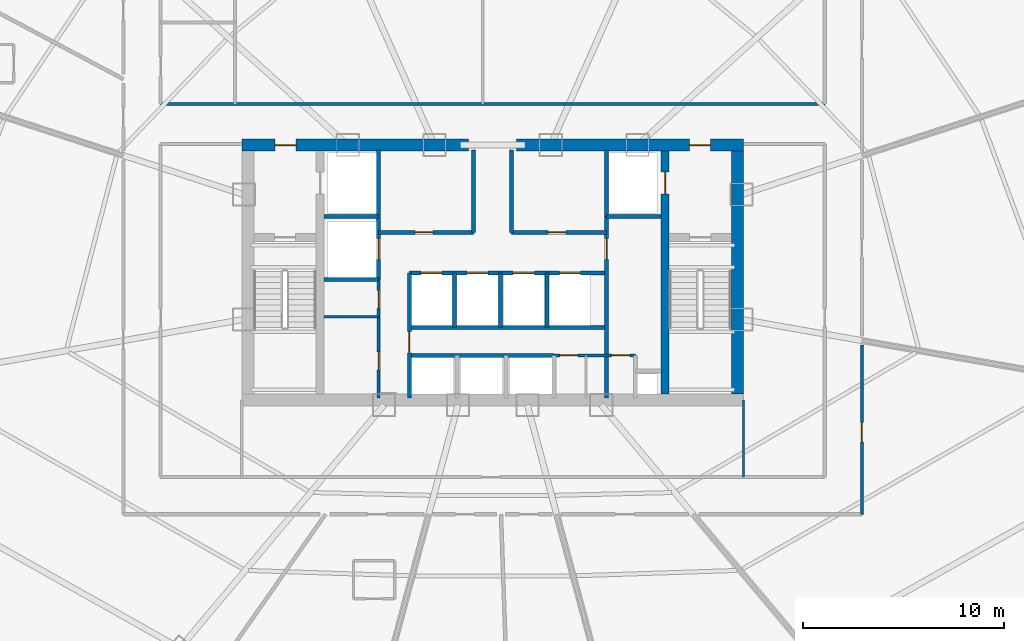
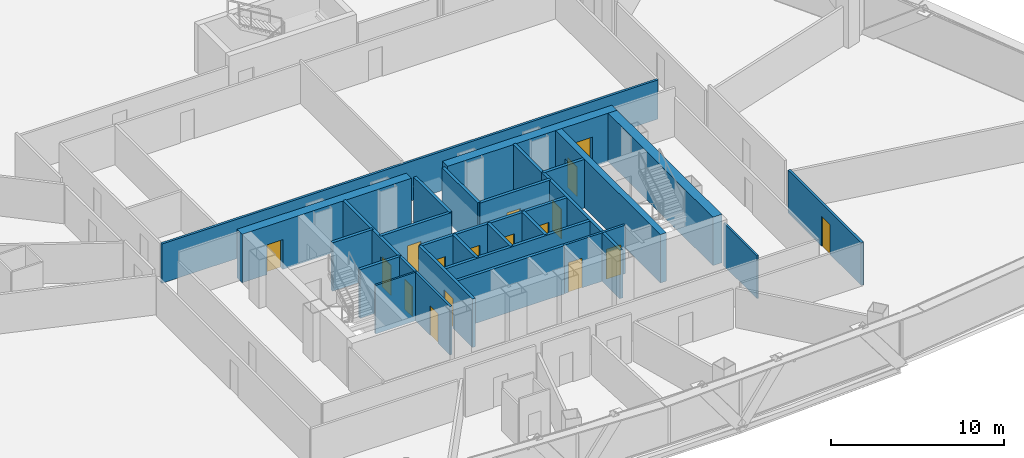
# One storey, part 34 of 40: 27 walls, 17 doors, 17 openings.
"""IFC4 building model written with IfcOpenShell, lengths in metres."""

import ifcopenshell
import ifcopenshell.guid

model = None  # the IFC model being written
_history = None  # IfcOwnerHistory: only IFC2X3 demands one
_inside = {}  # id of a spatial element -> (the spatial element, [elements in it])
_under = {}  # id of a project, library or spatial element -> (it, [spatial elements below it])
_declared = {}  # id of a project -> (the project, [libraries it declares])
_typed = {}  # id of a type object -> (the type object, [elements of that type])
_made_of = {}  # id of a material, layer set ... -> (it, [elements and type objects made of it])


def new_model(schema):
    """Start an empty IFC model of exactly this schema.

    Asked for "IFC4X3", IfcOpenShell would pick the latest addendum, in which some entities
    have other attributes; the version numbers below select the first issue.
    IFC2X3 requires an IfcOwnerHistory on every rooted entity: one is made here for all.
    """
    global model, _history
    if schema == "IFC4X3":
        model = ifcopenshell.file(schema_version=(4, 3, 0, 0))
    else:
        model = ifcopenshell.file(schema=schema)
    _inside.clear()
    _under.clear()
    _declared.clear()
    _typed.clear()
    _made_of.clear()
    _history = None
    if model.schema == "IFC2X3":
        org = make("IfcOrganization", Name="unknown")
        user = make(
            "IfcPersonAndOrganization",
            ThePerson=make("IfcPerson", FamilyName="unknown"),
            TheOrganization=org,
        )
        app = make(
            "IfcApplication",
            ApplicationDeveloper=org,
            Version="unknown",
            ApplicationFullName="unknown",
            ApplicationIdentifier="unknown",
        )
        _history = make(
            "IfcOwnerHistory",
            OwningUser=user,
            OwningApplication=app,
            ChangeAction="ADDED",
            CreationDate=0,
        )
    return model


def make(cls, **values):
    """One entity of the class cls with the attributes given. An attribute that is None is left unset."""
    return model.create_entity(
        cls, **{name: value for name, value in values.items() if value is not None}
    )


def rooted(cls, **values):
    """An entity with a GlobalId (a new one), such as an element, a storey or a relation."""
    return make(cls, GlobalId=ifcopenshell.guid.new(), OwnerHistory=_history, **values)


def si_unit(unit_type, name, prefix=None):
    """IfcSIUnit, for example si_unit("LENGTHUNIT", "METRE", prefix="MILLI")."""
    return make("IfcSIUnit", UnitType=unit_type, Prefix=prefix, Name=name)


def assignment(units):
    """IfcUnitAssignment: the units of a project."""
    return None if units is None else make("IfcUnitAssignment", Units=units)


def point(xyz):
    """IfcCartesianPoint."""
    return None if xyz is None else make("IfcCartesianPoint", Coordinates=xyz)


def direction(xyz):
    """IfcDirection."""
    return None if xyz is None else make("IfcDirection", DirectionRatios=xyz)


def frame(location, z_axis=None, x_axis=None):
    """IfcAxis2Placement3D, a coordinate frame: its origin and axes. An axis left out is left unset."""
    return make(
        "IfcAxis2Placement3D",
        Location=point(location),
        Axis=direction(z_axis),
        RefDirection=direction(x_axis),
    )


def frame_2d(location, x_axis=None):
    """IfcAxis2Placement2D, a coordinate frame in the plane: its origin and x axis."""
    return make(
        "IfcAxis2Placement2D", Location=point(location), RefDirection=direction(x_axis)
    )


def origin():
    """The frame at (0, 0, 0) with its axes left unset."""
    return frame((0.0, 0.0, 0.0))


def origin_with_axes():
    """The frame at (0, 0, 0) with the z axis (0, 0, 1) and the x axis (1, 0, 0) written out."""
    return frame((0.0, 0.0, 0.0), z_axis=(0.0, 0.0, 1.0), x_axis=(1.0, 0.0, 0.0))


def place(relative_to, where):
    """IfcLocalPlacement: puts the frame where relative to a parent placement (None: the world)."""
    return make(
        "IfcLocalPlacement", PlacementRelTo=relative_to, RelativePlacement=where
    )


def context(
    kind, dimensions, precision=None, world=None, true_north=None, identifier=None
):
    """IfcGeometricRepresentationContext, for example the 3D "Model" context."""
    return make(
        "IfcGeometricRepresentationContext",
        ContextIdentifier=identifier,
        ContextType=kind,
        CoordinateSpaceDimension=dimensions,
        Precision=precision,
        WorldCoordinateSystem=world,
        TrueNorth=true_north,
    )


def subcontext(parent, identifier, kind, view, scale=None):
    """IfcGeometricRepresentationSubContext, for example "Body" below "Model"."""
    return make(
        "IfcGeometricRepresentationSubContext",
        ContextIdentifier=identifier,
        ContextType=kind,
        ParentContext=parent,
        TargetScale=scale,
        TargetView=view,
    )


def project(units=None, contexts=None):
    """IfcProject with its units and contexts."""
    return rooted(
        "IfcProject",
        Name="project",
        RepresentationContexts=contexts,
        UnitsInContext=assignment(units),
    )


def spatial(cls, under=None, at=None, **own):
    """A site, building, storey or space (cls), placed at a placement, below another one or the project."""
    s = rooted(cls, ObjectPlacement=at, **own)
    if under is not None:
        _under.setdefault(under.id(), (under, []))[1].append(s)
    return s


def profile(cls, at=None, kind="AREA", **sizes):
    """A parametric profile (cls). Its sizes go by their IFC names, for example OverallWidth=200.0."""
    return make(cls, ProfileType=kind, Position=at, **sizes)


def rectangle(**sizes):
    """IfcRectangleProfileDef."""
    return profile("IfcRectangleProfileDef", **sizes)


def extrude(swept, where, along, depth):
    """IfcExtrudedAreaSolid: the profile swept, set in the frame where, extruded along a direction by depth."""
    return make(
        "IfcExtrudedAreaSolid",
        SweptArea=swept,
        Position=where,
        ExtrudedDirection=direction(along),
        Depth=depth,
    )


def shape(context_of_items, identifier, shape_type, items):
    """IfcShapeRepresentation: the items that make up one representation, for example the "Body"."""
    return make(
        "IfcShapeRepresentation",
        ContextOfItems=context_of_items,
        RepresentationIdentifier=identifier,
        RepresentationType=shape_type,
        Items=items,
    )


def source(mapping_origin, context_of_items, identifier, shape_type, items):
    """IfcRepresentationMap: a shape defined once, which mapped items show again and again."""
    return make(
        "IfcRepresentationMap",
        MappingOrigin=mapping_origin,
        MappedRepresentation=shape(context_of_items, identifier, shape_type, items),
    )


def transform(
    local_origin,
    x_axis=None,
    y_axis=None,
    z_axis=None,
    scale=None,
    scale2=None,
    scale3=None,
    uniform=True,
):
    """IfcCartesianTransformationOperator3D, or its non-uniform kind. x_axis, y_axis, z_axis: its Axis1, 2, 3."""
    if uniform:
        return make(
            "IfcCartesianTransformationOperator3D",
            Axis1=direction(x_axis),
            Axis2=direction(y_axis),
            LocalOrigin=point(local_origin),
            Scale=scale,
            Axis3=direction(z_axis),
        )
    return make(
        "IfcCartesianTransformationOperator3DnonUniform",
        Axis1=direction(x_axis),
        Axis2=direction(y_axis),
        LocalOrigin=point(local_origin),
        Scale=scale,
        Axis3=direction(z_axis),
        Scale2=scale2,
        Scale3=scale3,
    )


def mapped(mapping_source, mapping_target):
    """IfcMappedItem: shows the shape of a source again, moved by a transform."""
    return make(
        "IfcMappedItem", MappingSource=mapping_source, MappingTarget=mapping_target
    )


def material(Name=None, Category=None):
    """IfcMaterial."""
    return make("IfcMaterial", Name=Name, Category=Category)


def layer(
    of_material, thickness, ventilated=None, Name=None, Category=None, Priority=None
):
    """IfcMaterialLayer: one layer of a wall or slab, of a material (None: an air gap)."""
    return make(
        "IfcMaterialLayer",
        Material=of_material,
        LayerThickness=thickness,
        IsVentilated=ventilated,
        Name=Name,
        Category=Category,
        Priority=Priority,
    )


def layer_set(layers, Name=None):
    """IfcMaterialLayerSet."""
    return make("IfcMaterialLayerSet", MaterialLayers=layers, LayerSetName=Name)


def made_of(thing, what):
    """Note that an element or type object is made of a material, layer set ...; save() writes the relation."""
    if what is not None:
        _made_of.setdefault(what.id(), (what, []))[1].append(thing)
    return thing


def type_object(cls, material=None, **own):
    """A type object (cls), such as IfcWallType, which elements share."""
    return made_of(rooted(cls, **own), material)


def element(
    cls,
    number,
    at=None,
    inside=None,
    cuts=None,
    type_object=None,
    material=None,
    context=None,
    identifier="Body",
    shape_type=None,
    held_by="IfcProductDefinitionShape",
    body=None,
    shapes=None,
    **own,
):
    """One element of the class cls, such as IfcWall. Its Tag is "e" and its number.

    at: its placement. inside: the storey or other place that contains it. cuts: it is an
    opening in that element (IfcRelVoidsElement). A single representation is given by context,
    identifier, shape_type and body (its items); several are given by shapes. held_by: the class
    of the entity that holds the representations. save() writes the other relations.
    """
    e = rooted(cls, Tag="e%d" % number, ObjectPlacement=at, **own)
    if body is not None:
        shapes = [shape(context, identifier, shape_type, body)]
    if shapes is not None:
        e.Representation = make(held_by, Representations=shapes)
    if inside is not None:
        _inside.setdefault(inside.id(), (inside, []))[1].append(e)
    if cuts is not None:
        rooted(
            "IfcRelVoidsElement", RelatingBuildingElement=cuts, RelatedOpeningElement=e
        )
    if type_object is not None:
        _typed.setdefault(type_object.id(), (type_object, []))[1].append(e)
    return made_of(e, material)


def fill(opening, filler):
    """IfcRelFillsElement: the door or window that sits in an opening."""
    return rooted(
        "IfcRelFillsElement",
        RelatingOpeningElement=opening,
        RelatedBuildingElement=filler,
    )


def aggregate(whole, parts):
    """IfcRelAggregates: a whole, such as a stair, and the parts it consists of."""
    return rooted("IfcRelAggregates", RelatingObject=whole, RelatedObjects=parts)


def save(model, path):
    """Write the relations noted so far, then the file.

    IfcRelAggregates (storeys below a building ...), IfcRelContainedInSpatialStructure (elements
    in a storey), IfcRelDefinesByType, IfcRelAssociatesMaterial and IfcRelDeclares: one each for
    every whole, place, type object, material and project.
    """
    for whole, parts in _under.values():
        aggregate(whole, parts)
    for where, things in _inside.values():
        rooted(
            "IfcRelContainedInSpatialStructure",
            RelatedElements=things,
            RelatingStructure=where,
        )
    for kind, things in _typed.values():
        rooted("IfcRelDefinesByType", RelatedObjects=things, RelatingType=kind)
    for what, things in _made_of.values():
        rooted("IfcRelAssociatesMaterial", RelatedObjects=things, RelatingMaterial=what)
    for by, libraries in _declared.values():
        rooted("IfcRelDeclares", RelatingContext=by, RelatedDefinitions=libraries)
    model.write(path)


model = new_model("IFC4")

# Units and contexts
model_context = context("Model", 3, precision=1e-05, world=origin(), true_north=direction((0.0, 1.0)))
body_context = subcontext(model_context, "Body", "Model", "MODEL_VIEW")
ifc_project = project(units=[si_unit("LENGTHUNIT", "METRE"), si_unit("AREAUNIT", "SQUARE_METRE"), si_unit("VOLUMEUNIT", "CUBIC_METRE"), si_unit("PLANEANGLEUNIT", "RADIAN"), si_unit("MASSUNIT", "GRAM", prefix="KILO"), si_unit("THERMODYNAMICTEMPERATUREUNIT", "KELVIN"), si_unit("POWERUNIT", "WATT")], contexts=[model_context])

# Site, building, storey
site_placement = place(None, origin())
site = spatial("IfcSite", under=ifc_project, at=site_placement, CompositionType="ELEMENT")
building_placement = place(site_placement, origin())
building = spatial("IfcBuilding", under=site, at=building_placement, Name="Yunzhuo Pagoda Commons", CompositionType="ELEMENT")
storey_placement = place(building_placement, frame((0.0, 0.0, 159.27001953125)))
storey = spatial("IfcBuildingStorey", under=building, at=storey_placement, Name="L40", CompositionType="ELEMENT", Elevation=159.27001953125)

# Wall, opening, door
ifc_material_1 = material(Name="Concrete C60", Category="concrete")
ifc_layer_1 = layer(ifc_material_1, 0.60009765625)
ifc_layer_set_1 = layer_set([ifc_layer_1], Name="Concrete C60")
wall_type_1 = type_object("IfcWallType", Name="W-C02 Mid Core Shear Wall 600", PredefinedType="SHEAR", material=ifc_layer_set_1)
wall_1_placement = place(storey_placement, frame((35.5, 40.199951171875, 0.0), z_axis=(0.0, 0.0, 1.0), x_axis=(1.0, 0.0, 0.0)))
wall_1 = element("IfcWall", 1, at=wall_1_placement, inside=storey, type_object=wall_type_1, Name="L40 core shear wall NW", PredefinedType="SHEAR", context=body_context, shape_type="SweptSolid", body=[
    extrude(rectangle(XDim=11.300048828125, YDim=0.60009765625, at=frame_2d((5.64990234375, 0.0))), origin(), (0.0, 0.0, 1.0), 3.419921875),
])
opening_1_placement = place(wall_1_placement, frame((1.64990234375, 0.0, 0.0)))
opening_1 = element("IfcOpeningElement", 2, at=opening_1_placement, cuts=wall_1, Name="Opening D-02", PredefinedType="OPENING", context=body_context, shape_type="SweptSolid", body=[
    extrude(rectangle(XDim=1.050048828125, YDim=2.10009765625, at=frame_2d((0.52490234375, 1.050048828125))), frame((0.0, 0.31005859375, 0.0), z_axis=(0.0, -1.0, 0.0), x_axis=(1.0, 0.0, 0.0)), (0.0, 0.0, 1.0), 0.6201171875),
])
ifc_material_2 = material(Name="Galvanized fire-resisting metal leaf")
door_type_1 = type_object("IfcDoorType", Name="D-02 Firefighting Lobby & Refuge Fire Door 1050x2100", OperationType="NOTDEFINED", PredefinedType="DOOR", material=ifc_material_2)
shared_shape_1 = source(origin(), body_context, "Body", "SweptSolid", [
    extrude(rectangle(XDim=1.050048828125, YDim=2.10009765625, at=frame_2d((0.52490234375, 1.050048828125))), frame((0.0, 0.02490234375, 0.0), z_axis=(0.0, -1.0, 0.0), x_axis=(1.0, 0.0, 0.0)), (0.0, 0.0, 1.0), 0.050048828125),
])
door_1_placement = place(opening_1_placement, frame((1.050048828125, 0.0, 0.0), z_axis=(0.0, 0.0, 1.0), x_axis=(-1.0, 0.0, 0.0)))
door_1 = element("IfcDoor", 3, at=door_1_placement, inside=storey, type_object=door_type_1, Name="L40 Firefighting Lobby 1 fire door", OperationType="SINGLE_SWING_LEFT", OverallHeight=2.10009765625, OverallWidth=1.050048828125, PredefinedType="DOOR", context=body_context, shape_type="MappedRepresentation", body=[
    mapped(shared_shape_1, transform((0.0, 0.0, 0.0), scale=1.0)),
])
fill(opening_1, door_1)

wall_2_placement = place(storey_placement, frame((49.199951171875, 40.199951171875, 0.0), z_axis=(0.0, 0.0, 1.0), x_axis=(1.0, 0.0, 0.0)))
wall_2 = element("IfcWall", 4, at=wall_2_placement, inside=storey, type_object=wall_type_1, Name="L40 core shear wall NE", PredefinedType="SHEAR", context=body_context, shape_type="SweptSolid", body=[
    extrude(rectangle(XDim=11.300048828125, YDim=0.60009765625, at=frame_2d((5.64990234375, 0.0))), origin(), (0.0, 0.0, 1.0), 3.419921875),
])
opening_2_placement = place(wall_2_placement, frame((8.60009765625, 0.0, 0.0)))
opening_2 = element("IfcOpeningElement", 5, at=opening_2_placement, cuts=wall_2, Name="Opening D-02", PredefinedType="OPENING", context=body_context, shape_type="SweptSolid", body=[
    extrude(rectangle(XDim=1.050048828125, YDim=2.10009765625, at=frame_2d((0.52490234375, 1.050048828125))), frame((0.0, 0.31005859375, 0.0), z_axis=(0.0, -1.0, 0.0), x_axis=(1.0, 0.0, 0.0)), (0.0, 0.0, 1.0), 0.6201171875),
])
door_2_placement = place(opening_2_placement, frame((1.050048828125, 0.0, 0.0), z_axis=(0.0, 0.0, 1.0), x_axis=(-1.0, 0.0, 0.0)))
door_2 = element("IfcDoor", 6, at=door_2_placement, inside=storey, type_object=door_type_1, Name="L40 Firefighting Lobby 2 fire door", OperationType="SINGLE_SWING_RIGHT", OverallHeight=2.10009765625, OverallWidth=1.050048828125, PredefinedType="DOOR", context=body_context, shape_type="MappedRepresentation", body=[
    mapped(shared_shape_1, transform((0.0, 0.0, 0.0), scale=1.0)),
])
fill(opening_2, door_2)

# Wall
wall_3_placement = place(storey_placement, frame((60.199951171875, 27.800048828125, 0.0), z_axis=(0.0, 0.0, 1.0), x_axis=(0.0, 1.0, 0.0)))
element("IfcWall", 7, at=wall_3_placement, inside=storey, type_object=wall_type_1, Name="L40 core shear wall E", PredefinedType="SHEAR", context=body_context, shape_type="SweptSolid", body=[
    extrude(rectangle(XDim=12.099853515625, YDim=0.60009765625, at=frame_2d((6.0498046875, 0.0))), origin(), (0.0, 0.0, 1.0), 3.419921875),
])

# Wall, openings, doors
ifc_material_3 = material(Name="Gypsum plasterboard on acoustic stud")
ifc_layer_2 = layer(ifc_material_3, 0.155029296875)
ifc_layer_set_2 = layer_set([ifc_layer_2], Name="Gypsum plasterboard on acoustic stud")
wall_type_2 = type_object("IfcWallType", Name="W-COR2 Mid-Zone Rated Corridor Wall 155", PredefinedType="PARTITIONING", material=ifc_layer_set_2)
wall_4_placement = place(storey_placement, frame((42.320068359375, 27.60009765625, 0.0), z_axis=(0.0, 0.0, 1.0), x_axis=(0.0, 1.0, 0.0)))
wall_4 = element("IfcWall", 8, at=wall_4_placement, inside=storey, type_object=wall_type_2, Name="L40 interior wall IW-L40-CSWE", PredefinedType="PARTITIONING", context=body_context, shape_type="SweptSolid", body=[
    extrude(rectangle(XDim=5.89990234375, YDim=0.155029296875, at=frame_2d((2.949951171875, 0.0))), origin(), (0.0, 0.0, 1.0), 3.419921875),
])
opening_3_placement = place(wall_4_placement, frame((1.39990234375, 0.0, 0.0)))
opening_3 = element("IfcOpeningElement", 9, at=opening_3_placement, cuts=wall_4, Name="Opening D-03", PredefinedType="OPENING", context=body_context, shape_type="SweptSolid", body=[
    extrude(rectangle(XDim=0.89990234375, YDim=2.10009765625, at=frame_2d((0.449951171875, 1.050048828125))), frame((0.0, 0.08740234375, 0.0), z_axis=(0.0, -1.0, 0.0), x_axis=(1.0, 0.0, 0.0)), (0.0, 0.0, 1.0), 0.175048828125),
])
opening_4_placement = place(wall_4_placement, frame((4.449951171875, 0.0, 0.0)))
opening_4 = element("IfcOpeningElement", 10, at=opening_4_placement, cuts=wall_4, Name="Opening D-03", PredefinedType="OPENING", context=body_context, shape_type="SweptSolid", body=[
    extrude(rectangle(XDim=0.89990234375, YDim=2.10009765625, at=frame_2d((0.449951171875, 1.050048828125))), frame((0.0, 0.08740234375, 0.0), z_axis=(0.0, -1.0, 0.0), x_axis=(1.0, 0.0, 0.0)), (0.0, 0.0, 1.0), 0.175048828125),
])
door_type_2 = type_object("IfcDoorType", Name="D-03 Core Service Fire Door 900x2100", OperationType="NOTDEFINED", PredefinedType="DOOR", material=ifc_material_2)
shared_shape_2 = source(origin(), body_context, "Body", "SweptSolid", [
    extrude(rectangle(XDim=0.89990234375, YDim=2.10009765625, at=frame_2d((0.449951171875, 1.050048828125))), frame((0.0, 0.02490234375, 0.0), z_axis=(0.0, -1.0, 0.0), x_axis=(1.0, 0.0, 0.0)), (0.0, 0.0, 1.0), 0.050048828125),
])
door_3_placement = place(opening_3_placement, origin_with_axes())
door_3 = element("IfcDoor", 11, at=door_3_placement, inside=storey, type_object=door_type_2, Name="L40 service store door", OperationType="SINGLE_SWING_LEFT", OverallHeight=2.10009765625, OverallWidth=0.89990234375, PredefinedType="DOOR", context=body_context, shape_type="MappedRepresentation", body=[
    mapped(shared_shape_2, transform((0.0, 0.0, 0.0), scale=1.0)),
])
fill(opening_3, door_3)
door_4_placement = place(opening_4_placement, origin_with_axes())
door_4 = element("IfcDoor", 12, at=door_4_placement, inside=storey, type_object=door_type_2, Name="L40 switch closet door", OperationType="SINGLE_SWING_RIGHT", OverallHeight=2.10009765625, OverallWidth=0.89990234375, PredefinedType="DOOR", context=body_context, shape_type="MappedRepresentation", body=[
    mapped(shared_shape_2, transform((0.0, 0.0, 0.0), scale=1.0)),
])
fill(opening_4, door_4)

wall_5_placement = place(storey_placement, frame((51.050048828125, 29.719970703125, 0.0), z_axis=(0.0, 0.0, 1.0), x_axis=(1.0, 0.0, 0.0)))
wall_5 = element("IfcWall", 13, at=wall_5_placement, inside=storey, type_object=wall_type_2, Name="L40 interior wall IW-L40-CSES", PredefinedType="PARTITIONING", context=body_context, shape_type="SweptSolid", body=[
    extrude(rectangle(XDim=4.070068359375, YDim=0.155029296875, at=frame_2d((2.03515625, 0.0))), origin(), (0.0, 0.0, 1.0), 3.419921875),
])
opening_5_placement = place(wall_5_placement, frame((0.300048828125, 0.0, 0.0)))
opening_5 = element("IfcOpeningElement", 14, at=opening_5_placement, cuts=wall_5, Name="Opening D-03", PredefinedType="OPENING", context=body_context, shape_type="SweptSolid", body=[
    extrude(rectangle(XDim=0.89990234375, YDim=2.10009765625, at=frame_2d((0.449951171875, 1.050048828125))), frame((0.0, 0.08740234375, 0.0), z_axis=(0.0, -1.0, 0.0), x_axis=(1.0, 0.0, 0.0)), (0.0, 0.0, 1.0), 0.175048828125),
])
opening_6_placement = place(wall_5_placement, frame((2.860107421875, 0.0, 0.0)))
opening_6 = element("IfcOpeningElement", 15, at=opening_6_placement, cuts=wall_5, Name="Opening D-11", PredefinedType="OPENING", context=body_context, shape_type="SweptSolid", body=[
    extrude(rectangle(XDim=0.93994140625, YDim=2.10009765625, at=frame_2d((0.469970703125, 1.050048828125))), frame((0.0, 0.08740234375, 0.0), z_axis=(0.0, -1.0, 0.0), x_axis=(1.0, 0.0, 0.0)), (0.0, 0.0, 1.0), 0.175048828125),
])
door_5_placement = place(opening_5_placement, origin_with_axes())
door_5 = element("IfcDoor", 16, at=door_5_placement, inside=storey, type_object=door_type_2, Name="L40 cleaner door", OperationType="SINGLE_SWING_LEFT", OverallHeight=2.10009765625, OverallWidth=0.89990234375, PredefinedType="DOOR", context=body_context, shape_type="MappedRepresentation", body=[
    mapped(shared_shape_2, transform((0.0, 0.0, 0.0), scale=1.0)),
])
fill(opening_5, door_5)
door_type_3 = type_object("IfcDoorType", Name="D-11 Accessible Washroom Fire Door 940x2100", OperationType="NOTDEFINED", PredefinedType="DOOR", material=ifc_material_2)
shared_shape_3 = source(origin(), body_context, "Body", "SweptSolid", [
    extrude(rectangle(XDim=0.93994140625, YDim=2.10009765625, at=frame_2d((0.469970703125, 1.050048828125))), frame((0.0, 0.02490234375, 0.0), z_axis=(0.0, -1.0, 0.0), x_axis=(1.0, 0.0, 0.0)), (0.0, 0.0, 1.0), 0.050048828125),
])
door_6_placement = place(opening_6_placement, origin_with_axes())
door_6 = element("IfcDoor", 17, at=door_6_placement, inside=storey, type_object=door_type_3, Name="L40 core WC door", OperationType="SINGLE_SWING_RIGHT", OverallHeight=2.10009765625, OverallWidth=0.93994140625, PredefinedType="DOOR", context=body_context, shape_type="MappedRepresentation", body=[
    mapped(shared_shape_3, transform((0.0, 0.0, 0.0), scale=1.0)),
])
fill(opening_6, door_6)

# Wall
wall_6_placement = place(storey_placement, frame((31.449951171875, 42.25, 0.0), z_axis=(0.0, 0.0, 1.0), x_axis=(1.0, 0.0, 0.0)))
element("IfcWall", 18, at=wall_6_placement, inside=storey, type_object=wall_type_2, Name="L40 interior wall IW-L40-MCNS", PredefinedType="PARTITIONING", context=body_context, shape_type="SweptSolid", body=[
    extrude(rectangle(XDim=33.10009765625, YDim=0.155029296875, at=frame_2d((16.550048828125, 0.0))), origin(), (0.0, 0.0, 1.0), 2.77001953125),
])

# Wall, opening, door
wall_7_placement = place(storey_placement, frame((66.39990234375, 30.232177734375, 0.0), z_axis=(0.0, 0.0, 1.0), x_axis=(0.0, -1.0, 0.0)))
wall_7 = element("IfcWall", 19, at=wall_7_placement, inside=storey, type_object=wall_type_2, Name="L40 interior wall IW-L40-CWL12", PredefinedType="PARTITIONING", context=body_context, shape_type="SweptSolid", body=[
    extrude(rectangle(XDim=8.43212890625, YDim=0.155029296875, at=frame_2d((4.216064453125, 0.0))), origin(), (0.0, 0.0, 1.0), 3.02001953125),
])
opening_7_placement = place(wall_7_placement, frame((3.859375, 0.0, 0.0)))
opening_7 = element("IfcOpeningElement", 20, at=opening_7_placement, cuts=wall_7, Name="Opening D-07", PredefinedType="OPENING", context=body_context, shape_type="SweptSolid", body=[
    extrude(rectangle(XDim=0.9599609375, YDim=2.1201171875, at=frame_2d((0.47998046875, 1.06005859375))), frame((0.0, 0.08740234375, 0.0), z_axis=(0.0, -1.0, 0.0), x_axis=(1.0, 0.0, 0.0)), (0.0, 0.0, 1.0), 0.175048828125),
])
door_type_4 = type_object("IfcDoorType", Name="D-07 Mid-Zone Suite Entrance Fire Door 960x2120", OperationType="NOTDEFINED", PredefinedType="DOOR", material=ifc_material_2)
shared_shape_4 = source(origin(), body_context, "Body", "SweptSolid", [
    extrude(rectangle(XDim=0.9599609375, YDim=2.1201171875, at=frame_2d((0.47998046875, 1.06005859375))), frame((0.0, 0.02490234375, 0.0), z_axis=(0.0, -1.0, 0.0), x_axis=(1.0, 0.0, 0.0)), (0.0, 0.0, 1.0), 0.050048828125),
])
door_7_placement = place(opening_7_placement, origin_with_axes())
door_7 = element("IfcDoor", 21, at=door_7_placement, inside=storey, type_object=door_type_4, Name="L40 unit 13 entrance door", OperationType="SINGLE_SWING_LEFT", OverallHeight=2.1201171875, OverallWidth=0.9599609375, PredefinedType="DOOR", context=body_context, shape_type="MappedRepresentation", body=[
    mapped(shared_shape_4, transform((0.0, 0.0, 0.0), scale=1.0)),
])
fill(opening_7, door_7)

# Walls
ifc_layer_3 = layer(ifc_material_3, 0.1201171875)
ifc_layer_set_3 = layer_set([ifc_layer_3], Name="Gypsum plasterboard on acoustic stud")
wall_type_3 = type_object("IfcWallType", Name="W-PRT1 Suite & Bathroom Partition 120", PredefinedType="PARTITIONING", material=ifc_layer_set_3)
wall_8_placement = place(storey_placement, frame((39.60009765625, 31.64990234375, 0.0), z_axis=(0.0, 0.0, 1.0), x_axis=(1.0, 0.0, 0.0)))
element("IfcWall", 22, at=wall_8_placement, inside=storey, type_object=wall_type_3, Name="L40 interior wall IW-L40-CD1", PredefinedType="PARTITIONING", context=body_context, shape_type="SweptSolid", body=[
    extrude(rectangle(XDim=2.719970703125, YDim=0.1201171875, at=frame_2d((1.35986328125, 0.0))), origin(), (0.0, 0.0, 1.0), 3.419921875),
])
wall_9_placement = place(storey_placement, frame((60.5, 23.64990234375, 0.0), z_axis=(0.0, 0.0, 1.0), x_axis=(0.0, 1.0, 0.0)))
element("IfcWall", 23, at=wall_9_placement, inside=storey, type_object=wall_type_3, Name="L40 interior wall IW-L40-SFLD2", PredefinedType="PARTITIONING", context=body_context, shape_type="SweptSolid", body=[
    extrude(rectangle(XDim=3.85009765625, YDim=0.1201171875, at=frame_2d((1.925048828125, 0.0))), origin(), (0.0, 0.0, 1.0), 3.02001953125),
])

# Wall, opening, door
ifc_layer_4 = layer(ifc_material_1, 0.39990234375)
ifc_layer_set_4 = layer_set([ifc_layer_4], Name="Concrete C60")
wall_type_4 = type_object("IfcWallType", Name="W-S01 Internal Core Shear Web 400", PredefinedType="SHEAR", material=ifc_layer_set_4)
wall_10_placement = place(storey_placement, frame((56.60009765625, 27.800048828125, 0.0), z_axis=(0.0, 0.0, 1.0), x_axis=(0.0, 1.0, 0.0)))
wall_10 = element("IfcWall", 24, at=wall_10_placement, inside=storey, type_object=wall_type_4, Name="L40 core shear wall WEBE", PredefinedType="SHEAR", context=body_context, shape_type="SweptSolid", body=[
    extrude(rectangle(XDim=12.099853515625, YDim=0.39990234375, at=frame_2d((6.0498046875, 0.0))), origin(), (0.0, 0.0, 1.0), 3.419921875),
])
opening_8_placement = place(wall_10_placement, frame((9.949951171875, 0.0, 0.0)))
opening_8 = element("IfcOpeningElement", 25, at=opening_8_placement, cuts=wall_10, Name="Opening LD-01", PredefinedType="OPENING", context=body_context, shape_type="SweptSolid", body=[
    extrude(rectangle(XDim=1.10009765625, YDim=2.10009765625, at=frame_2d((0.550048828125, 1.050048828125))), frame((0.0, 0.2099609375, 0.0), z_axis=(0.0, -1.0, 0.0), x_axis=(1.0, 0.0, 0.0)), (0.0, 0.0, 1.0), 0.419921875),
])
door_type_5 = type_object("IfcDoorType", Name="LD-01 Firefighting Lift Landing Door 1100x2100", OperationType="DOUBLE_DOOR_SLIDING", PredefinedType="DOOR", material=ifc_material_2)
shared_shape_5 = source(origin(), body_context, "Body", "SweptSolid", [
    extrude(rectangle(XDim=1.10009765625, YDim=2.10009765625, at=frame_2d((0.550048828125, 1.050048828125))), frame((0.0, 0.02490234375, 0.0), z_axis=(0.0, -1.0, 0.0), x_axis=(1.0, 0.0, 0.0)), (0.0, 0.0, 1.0), 0.050048828125),
])
door_8_placement = place(opening_8_placement, origin_with_axes())
door_8 = element("IfcDoor", 26, at=door_8_placement, inside=storey, type_object=door_type_5, Name="L40 Firefighting lift FL-2 landing door", OperationType="DOUBLE_DOOR_SLIDING", OverallHeight=2.10009765625, OverallWidth=1.10009765625, PredefinedType="DOOR", context=body_context, shape_type="MappedRepresentation", body=[
    mapped(shared_shape_5, transform((0.0, 0.0, 0.0), scale=1.0)),
])
fill(opening_8, door_8)

ifc_material_4 = material(Name="Concrete C40", Category="concrete")
ifc_layer_5 = layer(ifc_material_4, 0.199951171875)
ifc_layer_set_5 = layer_set([ifc_layer_5], Name="Concrete C40")
wall_type_5 = type_object("IfcWallType", Name="W-SHF Shaft & Stair Enclosure Wall 200", PredefinedType="SOLIDWALL", material=ifc_layer_set_5)
wall_11_placement = place(storey_placement, frame((42.320068359375, 33.5, 0.0), z_axis=(0.0, 0.0, 1.0), x_axis=(0.0, 1.0, 0.0)))
wall_11 = element("IfcWall", 27, at=wall_11_placement, inside=storey, type_object=wall_type_5, Name="L40 interior wall IW-L40-FL1E", PredefinedType="SOLIDWALL", context=body_context, shape_type="SweptSolid", body=[
    extrude(rectangle(XDim=6.449951171875, YDim=0.199951171875, at=frame_2d((3.22509765625, 0.0))), origin(), (0.0, 0.0, 1.0), 3.419921875),
])
opening_9_placement = place(wall_11_placement, frame((1.0, 0.0, 0.0)))
opening_9 = element("IfcOpeningElement", 28, at=opening_9_placement, cuts=wall_11, Name="Opening LD-02", PredefinedType="OPENING", context=body_context, shape_type="SweptSolid", body=[
    extrude(rectangle(XDim=1.050048828125, YDim=2.10009765625, at=frame_2d((0.52490234375, 1.050048828125))), frame((0.0, 0.10986328125, 0.0), z_axis=(0.0, -1.0, 0.0), x_axis=(1.0, 0.0, 0.0)), (0.0, 0.0, 1.0), 0.219970703125),
])
door_type_6 = type_object("IfcDoorType", Name="LD-02 Passenger Lift Landing Door 1050x2100", OperationType="DOUBLE_DOOR_SLIDING", PredefinedType="DOOR", material=ifc_material_2)
door_9_placement = place(opening_9_placement, origin_with_axes())
door_9 = element("IfcDoor", 29, at=door_9_placement, inside=storey, type_object=door_type_6, Name="L40 Service lift SL-1 landing door", OperationType="DOUBLE_DOOR_SLIDING", OverallHeight=2.10009765625, OverallWidth=1.050048828125, PredefinedType="DOOR", context=body_context, shape_type="MappedRepresentation", body=[
    mapped(shared_shape_1, transform((0.0, 0.0, 0.0), scale=1.0)),
])
fill(opening_9, door_9)

# Walls
for number, where, z_axis, x_axis, name in (
    (30, (39.60009765625, 36.64990234375, 0.0), (0.0, 0.0, 1.0), (1.0, 0.0, 0.0), "L40 interior wall IW-L40-FL1S"),
    (31, (39.60009765625, 33.5, 0.0), (0.0, 0.0, 1.0), (1.0, 0.0, 0.0), "L40 interior wall IW-L40-SL1S"),
):
    element("IfcWall", number, at=place(storey_placement, frame(where, z_axis=z_axis, x_axis=x_axis)), inside=storey, type_object=wall_type_5, Name=name, PredefinedType="SOLIDWALL", context=body_context, shape_type="SweptSolid", body=[
        extrude(rectangle(XDim=2.719970703125, YDim=0.199951171875, at=frame_2d((1.35986328125, 0.0))), origin(), (0.0, 0.0, 1.0), 3.419921875),
    ])
wall_12_placement = place(storey_placement, frame((53.679931640625, 36.64990234375, 0.0), z_axis=(0.0, 0.0, 1.0), x_axis=(0.0, 1.0, 0.0)))
element("IfcWall", 32, at=wall_12_placement, inside=storey, type_object=wall_type_5, Name="L40 interior wall IW-L40-FL2W", PredefinedType="SOLIDWALL", context=body_context, shape_type="SweptSolid", body=[
    extrude(rectangle(XDim=3.300048828125, YDim=0.199951171875, at=frame_2d((1.64990234375, 0.0))), origin(), (0.0, 0.0, 1.0), 3.419921875),
])
wall_13_placement = place(storey_placement, frame((53.679931640625, 36.64990234375, 0.0), z_axis=(0.0, 0.0, 1.0), x_axis=(1.0, 0.0, 0.0)))
element("IfcWall", 33, at=wall_13_placement, inside=storey, type_object=wall_type_5, Name="L40 interior wall IW-L40-FL2S", PredefinedType="SOLIDWALL", context=body_context, shape_type="SweptSolid", body=[
    extrude(rectangle(XDim=2.719970703125, YDim=0.199951171875, at=frame_2d((1.35986328125, 0.0))), origin(), (0.0, 0.0, 1.0), 3.419921875),
])

# Wall, opening, door
wall_14_placement = place(storey_placement, frame((42.320068359375, 35.85009765625, 0.0), z_axis=(0.0, 0.0, 1.0), x_axis=(1.0, 0.0, 0.0)))
wall_14 = element("IfcWall", 34, at=wall_14_placement, inside=storey, type_object=wall_type_5, Name="L40 interior wall IW-L40-LBNW", PredefinedType="SOLIDWALL", context=body_context, shape_type="SweptSolid", body=[
    extrude(rectangle(XDim=4.72998046875, YDim=0.199951171875, at=frame_2d((2.364990234375, 0.0))), origin(), (0.0, 0.0, 1.0), 3.419921875),
])
opening_10_placement = place(wall_14_placement, frame((1.800048828125, 0.0, 0.0)))
opening_10 = element("IfcOpeningElement", 35, at=opening_10_placement, cuts=wall_14, Name="Opening D-03", PredefinedType="OPENING", context=body_context, shape_type="SweptSolid", body=[
    extrude(rectangle(XDim=0.89990234375, YDim=2.10009765625, at=frame_2d((0.449951171875, 1.050048828125))), frame((0.0, 0.10986328125, 0.0), z_axis=(0.0, -1.0, 0.0), x_axis=(1.0, 0.0, 0.0)), (0.0, 0.0, 1.0), 0.219970703125),
])
door_10_placement = place(opening_10_placement, frame((0.89990234375, 0.0, 0.0), z_axis=(0.0, 0.0, 1.0), x_axis=(-1.0, 0.0, 0.0)))
door_10 = element("IfcDoor", 36, at=door_10_placement, inside=storey, type_object=door_type_2, Name="L40 core west store door", OperationType="SINGLE_SWING_LEFT", OverallHeight=2.10009765625, OverallWidth=0.89990234375, PredefinedType="DOOR", context=body_context, shape_type="MappedRepresentation", body=[
    mapped(shared_shape_2, transform((0.0, 0.0, 0.0), scale=1.0)),
])
fill(opening_10, door_10)

wall_15_placement = place(storey_placement, frame((48.949951171875, 35.85009765625, 0.0), z_axis=(0.0, 0.0, 1.0), x_axis=(1.0, 0.0, 0.0)))
wall_15 = element("IfcWall", 37, at=wall_15_placement, inside=storey, type_object=wall_type_5, Name="L40 interior wall IW-L40-LBNE", PredefinedType="SOLIDWALL", context=body_context, shape_type="SweptSolid", body=[
    extrude(rectangle(XDim=4.72998046875, YDim=0.199951171875, at=frame_2d((2.364990234375, 0.0))), origin(), (0.0, 0.0, 1.0), 3.419921875),
])
opening_11_placement = place(wall_15_placement, frame((1.800048828125, 0.0, 0.0)))
opening_11 = element("IfcOpeningElement", 38, at=opening_11_placement, cuts=wall_15, Name="Opening D-03", PredefinedType="OPENING", context=body_context, shape_type="SweptSolid", body=[
    extrude(rectangle(XDim=0.89990234375, YDim=2.10009765625, at=frame_2d((0.449951171875, 1.050048828125))), frame((0.0, 0.10986328125, 0.0), z_axis=(0.0, -1.0, 0.0), x_axis=(1.0, 0.0, 0.0)), (0.0, 0.0, 1.0), 0.219970703125),
])
door_11_placement = place(opening_11_placement, frame((0.89990234375, 0.0, 0.0), z_axis=(0.0, 0.0, 1.0), x_axis=(-1.0, 0.0, 0.0)))
door_11 = element("IfcDoor", 39, at=door_11_placement, inside=storey, type_object=door_type_2, Name="L40 core east store door", OperationType="SINGLE_SWING_RIGHT", OverallHeight=2.10009765625, OverallWidth=0.89990234375, PredefinedType="DOOR", context=body_context, shape_type="MappedRepresentation", body=[
    mapped(shared_shape_2, transform((0.0, 0.0, 0.0), scale=1.0)),
])
fill(opening_11, door_11)

# Walls
for number, where, z_axis, x_axis, name in (
    (40, (47.050048828125, 35.85009765625, 0.0), (0.0, 0.0, 1.0), (0.0, 1.0, 0.0), "L40 interior wall IW-L40-THRW"),
    (41, (48.949951171875, 35.85009765625, 0.0), (0.0, 0.0, 1.0), (0.0, 1.0, 0.0), "L40 interior wall IW-L40-THRE"),
):
    element("IfcWall", number, at=place(storey_placement, frame(where, z_axis=z_axis, x_axis=x_axis)), inside=storey, type_object=wall_type_5, Name=name, PredefinedType="SOLIDWALL", context=body_context, shape_type="SweptSolid", body=[
        extrude(rectangle(XDim=4.099853515625, YDim=0.199951171875, at=frame_2d((2.0498046875, 0.0))), origin(), (0.0, 0.0, 1.0), 3.419921875),
    ])

# Wall, openings, doors
wall_16_placement = place(storey_placement, frame((43.85009765625, 33.820068359375, 0.0), z_axis=(0.0, 0.0, 1.0), x_axis=(1.0, 0.0, 0.0)))
wall_16 = element("IfcWall", 42, at=wall_16_placement, inside=storey, type_object=wall_type_5, Name="L40 interior wall IW-L40-MLBS", PredefinedType="SOLIDWALL", context=body_context, shape_type="SweptSolid", body=[
    extrude(rectangle(XDim=9.829833984375, YDim=0.199951171875, at=frame_2d((4.9150390625, 0.0))), origin(), (0.0, 0.0, 1.0), 3.419921875),
])
opening_12_placement = place(wall_16_placement, frame((0.574951171875, 0.0, 0.0)))
opening_12 = element("IfcOpeningElement", 43, at=opening_12_placement, cuts=wall_16, Name="Opening LD-02", PredefinedType="OPENING", context=body_context, shape_type="SweptSolid", body=[
    extrude(rectangle(XDim=1.050048828125, YDim=2.10009765625, at=frame_2d((0.52490234375, 1.050048828125))), frame((0.0, 0.10986328125, 0.0), z_axis=(0.0, -1.0, 0.0), x_axis=(1.0, 0.0, 0.0)), (0.0, 0.0, 1.0), 0.219970703125),
])
opening_13_placement = place(wall_16_placement, frame((2.875, 0.0, 0.0)))
opening_13 = element("IfcOpeningElement", 44, at=opening_13_placement, cuts=wall_16, Name="Opening LD-02", PredefinedType="OPENING", context=body_context, shape_type="SweptSolid", body=[
    extrude(rectangle(XDim=1.050048828125, YDim=2.10009765625, at=frame_2d((0.52490234375, 1.050048828125))), frame((0.0, 0.10986328125, 0.0), z_axis=(0.0, -1.0, 0.0), x_axis=(1.0, 0.0, 0.0)), (0.0, 0.0, 1.0), 0.219970703125),
])
opening_14_placement = place(wall_16_placement, frame((5.175048828125, 0.0, 0.0)))
opening_14 = element("IfcOpeningElement", 45, at=opening_14_placement, cuts=wall_16, Name="Opening LD-02", PredefinedType="OPENING", context=body_context, shape_type="SweptSolid", body=[
    extrude(rectangle(XDim=1.050048828125, YDim=2.10009765625, at=frame_2d((0.52490234375, 1.050048828125))), frame((0.0, 0.10986328125, 0.0), z_axis=(0.0, -1.0, 0.0), x_axis=(1.0, 0.0, 0.0)), (0.0, 0.0, 1.0), 0.219970703125),
])
opening_15_placement = place(wall_16_placement, frame((7.47509765625, 0.0, 0.0)))
opening_15 = element("IfcOpeningElement", 46, at=opening_15_placement, cuts=wall_16, Name="Opening LD-02", PredefinedType="OPENING", context=body_context, shape_type="SweptSolid", body=[
    extrude(rectangle(XDim=1.050048828125, YDim=2.10009765625, at=frame_2d((0.52490234375, 1.050048828125))), frame((0.0, 0.10986328125, 0.0), z_axis=(0.0, -1.0, 0.0), x_axis=(1.0, 0.0, 0.0)), (0.0, 0.0, 1.0), 0.219970703125),
])
door_12_placement = place(opening_12_placement, origin_with_axes())
door_12 = element("IfcDoor", 47, at=door_12_placement, inside=storey, type_object=door_type_6, Name="L40 Passenger lift PL-M1 landing door", OperationType="DOUBLE_DOOR_SLIDING", OverallHeight=2.10009765625, OverallWidth=1.050048828125, PredefinedType="DOOR", context=body_context, shape_type="MappedRepresentation", body=[
    mapped(shared_shape_1, transform((0.0, 0.0, 0.0), scale=1.0)),
])
fill(opening_12, door_12)
door_13_placement = place(opening_13_placement, origin_with_axes())
door_13 = element("IfcDoor", 48, at=door_13_placement, inside=storey, type_object=door_type_6, Name="L40 Passenger lift PL-M2 landing door", OperationType="DOUBLE_DOOR_SLIDING", OverallHeight=2.10009765625, OverallWidth=1.050048828125, PredefinedType="DOOR", context=body_context, shape_type="MappedRepresentation", body=[
    mapped(shared_shape_1, transform((0.0, 0.0, 0.0), scale=1.0)),
])
fill(opening_13, door_13)
door_14_placement = place(opening_14_placement, origin_with_axes())
door_14 = element("IfcDoor", 49, at=door_14_placement, inside=storey, type_object=door_type_6, Name="L40 Passenger lift PL-M3 landing door", OperationType="DOUBLE_DOOR_SLIDING", OverallHeight=2.10009765625, OverallWidth=1.050048828125, PredefinedType="DOOR", context=body_context, shape_type="MappedRepresentation", body=[
    mapped(shared_shape_1, transform((0.0, 0.0, 0.0), scale=1.0)),
])
fill(opening_14, door_14)
door_15_placement = place(opening_15_placement, origin_with_axes())
door_15 = element("IfcDoor", 50, at=door_15_placement, inside=storey, type_object=door_type_6, Name="L40 Passenger lift PL-M4 landing door", OperationType="DOUBLE_DOOR_SLIDING", OverallHeight=2.10009765625, OverallWidth=1.050048828125, PredefinedType="DOOR", context=body_context, shape_type="MappedRepresentation", body=[
    mapped(shared_shape_1, transform((0.0, 0.0, 0.0), scale=1.0)),
])
fill(opening_15, door_15)

# Wall, opening, door
wall_17_placement = place(storey_placement, frame((43.85009765625, 27.60009765625, 0.0), z_axis=(0.0, 0.0, 1.0), x_axis=(0.0, 1.0, 0.0)))
wall_17 = element("IfcWall", 51, at=wall_17_placement, inside=storey, type_object=wall_type_5, Name="L40 interior wall IW-L40-PLMW", PredefinedType="SOLIDWALL", context=body_context, shape_type="SweptSolid", body=[
    extrude(rectangle(XDim=6.219970703125, YDim=0.199951171875, at=frame_2d((3.10986328125, 0.0))), origin(), (0.0, 0.0, 1.0), 3.419921875),
])
opening_16_placement = place(wall_17_placement, frame((2.25, 0.0, 0.0)))
opening_16 = element("IfcOpeningElement", 52, at=opening_16_placement, cuts=wall_17, Name="Opening D-02", PredefinedType="OPENING", context=body_context, shape_type="SweptSolid", body=[
    extrude(rectangle(XDim=1.050048828125, YDim=2.10009765625, at=frame_2d((0.52490234375, 1.050048828125))), frame((0.0, 0.10986328125, 0.0), z_axis=(0.0, -1.0, 0.0), x_axis=(1.0, 0.0, 0.0)), (0.0, 0.0, 1.0), 0.219970703125),
])
door_16_placement = place(opening_16_placement, frame((1.050048828125, 0.0, 0.0), z_axis=(0.0, 0.0, 1.0), x_axis=(-1.0, 0.0, 0.0)))
door_16 = element("IfcDoor", 53, at=door_16_placement, inside=storey, type_object=door_type_1, Name="L40 High-bank hall west door", OperationType="SINGLE_SWING_LEFT", OverallHeight=2.10009765625, OverallWidth=1.050048828125, PredefinedType="DOOR", context=body_context, shape_type="MappedRepresentation", body=[
    mapped(shared_shape_1, transform((0.0, 0.0, 0.0), scale=1.0)),
])
fill(opening_16, door_16)

wall_18_placement = place(storey_placement, frame((53.679931640625, 27.60009765625, 0.0), z_axis=(0.0, 0.0, 1.0), x_axis=(0.0, 1.0, 0.0)))
wall_18 = element("IfcWall", 54, at=wall_18_placement, inside=storey, type_object=wall_type_5, Name="L40 interior wall IW-L40-PLME", PredefinedType="SOLIDWALL", context=body_context, shape_type="SweptSolid", body=[
    extrude(rectangle(XDim=9.0498046875, YDim=0.199951171875, at=frame_2d((4.52490234375, 0.0))), origin(), (0.0, 0.0, 1.0), 3.419921875),
])
opening_17_placement = place(wall_18_placement, frame((6.89990234375, 0.0, 0.0)))
opening_17 = element("IfcOpeningElement", 55, at=opening_17_placement, cuts=wall_18, Name="Opening D-02", PredefinedType="OPENING", context=body_context, shape_type="SweptSolid", body=[
    extrude(rectangle(XDim=1.050048828125, YDim=2.10009765625, at=frame_2d((0.52490234375, 1.050048828125))), frame((0.0, 0.10986328125, 0.0), z_axis=(0.0, -1.0, 0.0), x_axis=(1.0, 0.0, 0.0)), (0.0, 0.0, 1.0), 0.219970703125),
])
door_17_placement = place(opening_17_placement, origin_with_axes())
door_17 = element("IfcDoor", 56, at=door_17_placement, inside=storey, type_object=door_type_1, Name="L40 High-bank lift hall door", OperationType="SINGLE_SWING_RIGHT", OverallHeight=2.10009765625, OverallWidth=1.050048828125, PredefinedType="DOOR", context=body_context, shape_type="MappedRepresentation", body=[
    mapped(shared_shape_1, transform((0.0, 0.0, 0.0), scale=1.0)),
])
fill(opening_17, door_17)

# Walls
for number, where, z_axis, x_axis, name in (
    (57, (46.10009765625, 31.1201171875, 0.0), (0.0, 0.0, 1.0), (0.0, 1.0, 0.0), "L40 interior wall IW-L40-PLMD1"),
    (58, (48.39990234375, 31.1201171875, 0.0), (0.0, 0.0, 1.0), (0.0, 1.0, 0.0), "L40 interior wall IW-L40-PLMD2"),
    (59, (50.699951171875, 31.1201171875, 0.0), (0.0, 0.0, 1.0), (0.0, 1.0, 0.0), "L40 interior wall IW-L40-PLMD3"),
):
    element("IfcWall", number, at=place(storey_placement, frame(where, z_axis=z_axis, x_axis=x_axis)), inside=storey, type_object=wall_type_5, Name=name, PredefinedType="SOLIDWALL", context=body_context, shape_type="SweptSolid", body=[
        extrude(rectangle(XDim=2.699951171875, YDim=0.199951171875, at=frame_2d((1.35009765625, 0.0))), origin(), (0.0, 0.0, 1.0), 3.419921875),
    ])
wall_19_placement = place(storey_placement, frame((43.85009765625, 29.719970703125, 0.0), z_axis=(0.0, 0.0, 1.0), x_axis=(1.0, 0.0, 0.0)))
element("IfcWall", 60, at=wall_19_placement, inside=storey, type_object=wall_type_5, Name="L40 interior wall IW-L40-PLHN", PredefinedType="SOLIDWALL", context=body_context, shape_type="SweptSolid", body=[
    extrude(rectangle(XDim=7.199951171875, YDim=0.199951171875, at=frame_2d((3.60009765625, 0.0))), origin(), (0.0, 0.0, 1.0), 3.419921875),
])
wall_20_placement = place(storey_placement, frame((43.85009765625, 31.1201171875, 0.0), z_axis=(0.0, 0.0, 1.0), x_axis=(1.0, 0.0, 0.0)))
element("IfcWall", 61, at=wall_20_placement, inside=storey, type_object=wall_type_5, Name="L40 interior wall IW-L40-PLMS2", PredefinedType="SOLIDWALL", context=body_context, shape_type="SweptSolid", body=[
    extrude(rectangle(XDim=9.829833984375, YDim=0.199951171875, at=frame_2d((4.9150390625, 0.0))), origin(), (0.0, 0.0, 1.0), 3.419921875),
])

save(model, "model.ifc")
